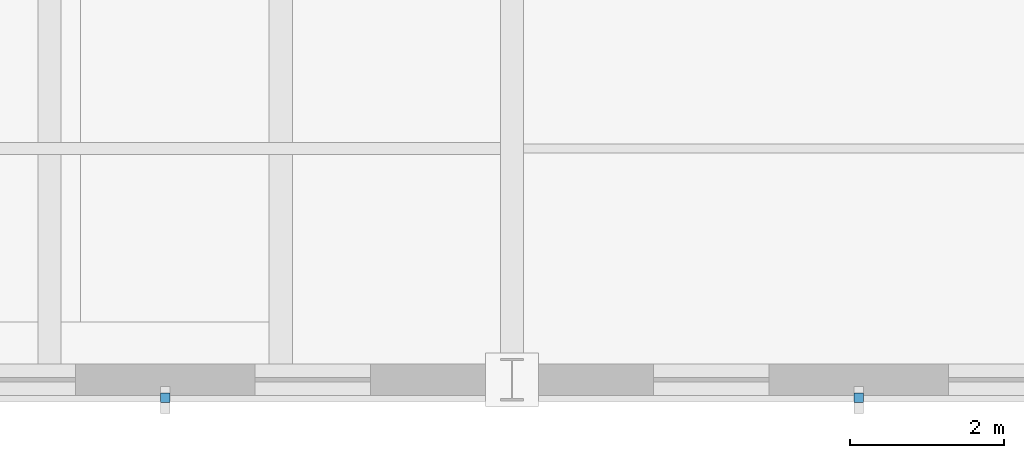
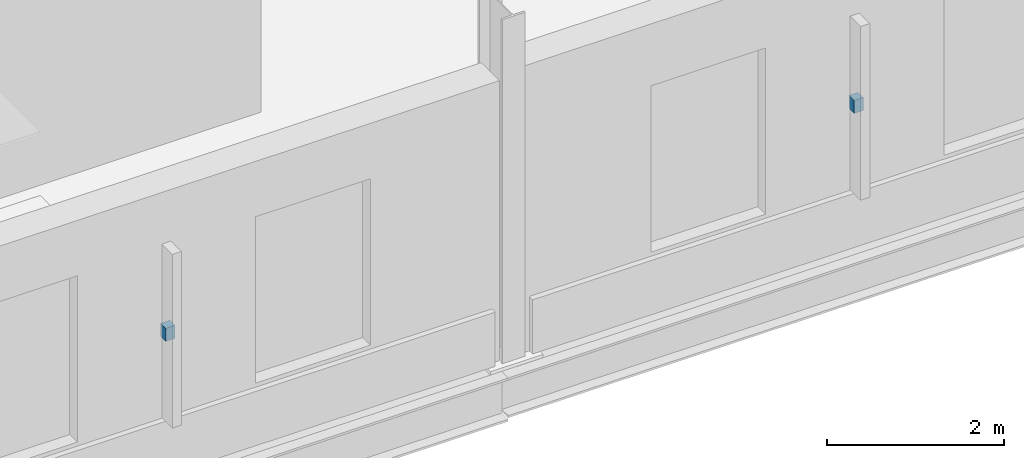
# One storey, part 25 of 35: 2 discrete accessories.
"""IFC4 building model written with IfcOpenShell, lengths in metres."""

from ifc_helpers import new_model, si_unit, direction, frame, origin, origin_2d, place, context, subcontext, project, spatial, rectangle, extrude, material, type_object, element, save


model = new_model("IFC4")

# Units and contexts
model_context = context("Model", 3, precision=1e-05, world=origin(), true_north=direction((0.0, 1.0)))
body_context = subcontext(model_context, "Body", "Model", "MODEL_VIEW")
ifc_project = project(units=[si_unit("LENGTHUNIT", "METRE"), si_unit("AREAUNIT", "SQUARE_METRE"), si_unit("VOLUMEUNIT", "CUBIC_METRE"), si_unit("PLANEANGLEUNIT", "RADIAN"), si_unit("MASSUNIT", "GRAM", prefix="KILO")], contexts=[model_context])

# Site, building, storey
site_placement = place(None, origin())
site = spatial("IfcSite", under=ifc_project, at=site_placement, CompositionType="ELEMENT")
building_placement = place(site_placement, origin())
building = spatial("IfcBuilding", under=site, at=building_placement, Name="Sundgate Opera House", CompositionType="ELEMENT")
storey_placement = place(building_placement, frame((0.0, 0.0, 21.60009765625)))
storey = spatial("IfcBuildingStorey", under=building, at=storey_placement, Name="L04", CompositionType="ELEMENT", Elevation=21.60009765625)

# Discrete accessories
ifc_material = material(Name="Stainless steel EN 1.4404 bracket", Category="steel")
discrete_accessory_type = type_object("IfcDiscreteAccessoryType", Name="AC-BRACKET-SS", PredefinedType="BRACKET", material=ifc_material)
for number, where, z_axis, x_axis, name in (
    (1, (58.5, 32.764892578125, 1.91015625), (0.0, 0.0, 1.0), (1.0, 0.0, 0.0), "L04 Brise-Soleil Anchor Bracket BR0020"),
    (2, (67.5, 32.764892578125, 1.91015625), (0.0, 0.0, 1.0), (1.0, 0.0, 0.0), "L04 Brise-Soleil Anchor Bracket BR0021"),
):
    element("IfcDiscreteAccessory", number, at=place(storey_placement, frame(where, z_axis=z_axis, x_axis=x_axis)), inside=storey, type_object=discrete_accessory_type, Name=name, PredefinedType="BRACKET", context=body_context, shape_type="SweptSolid", body=[
        extrude(rectangle(XDim=0.1201171875, YDim=0.1201171875, at=origin_2d()), origin(), (0.0, 0.0, 1.0), 0.179931640625),
    ])

save(model, "model.ifc")
